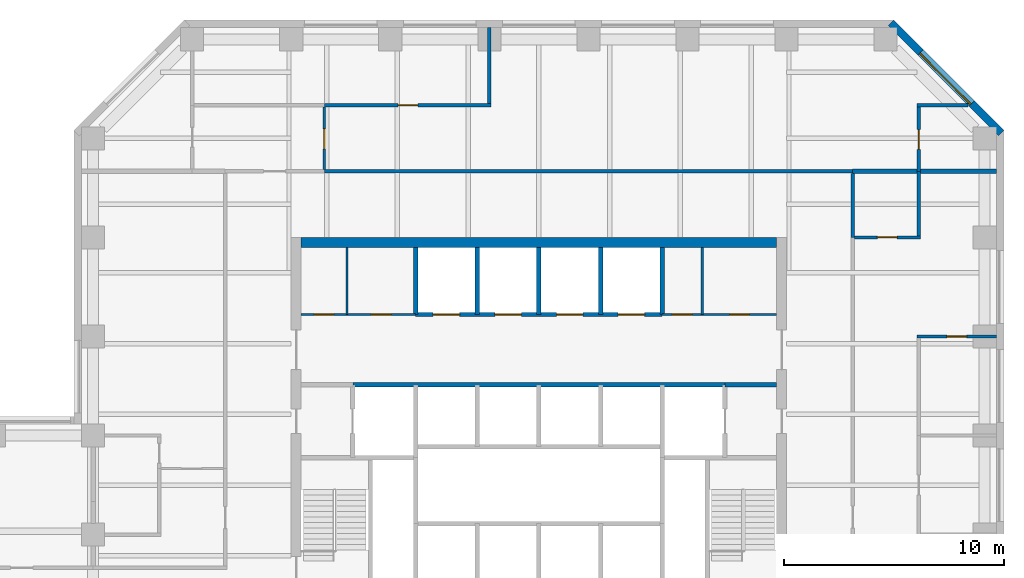
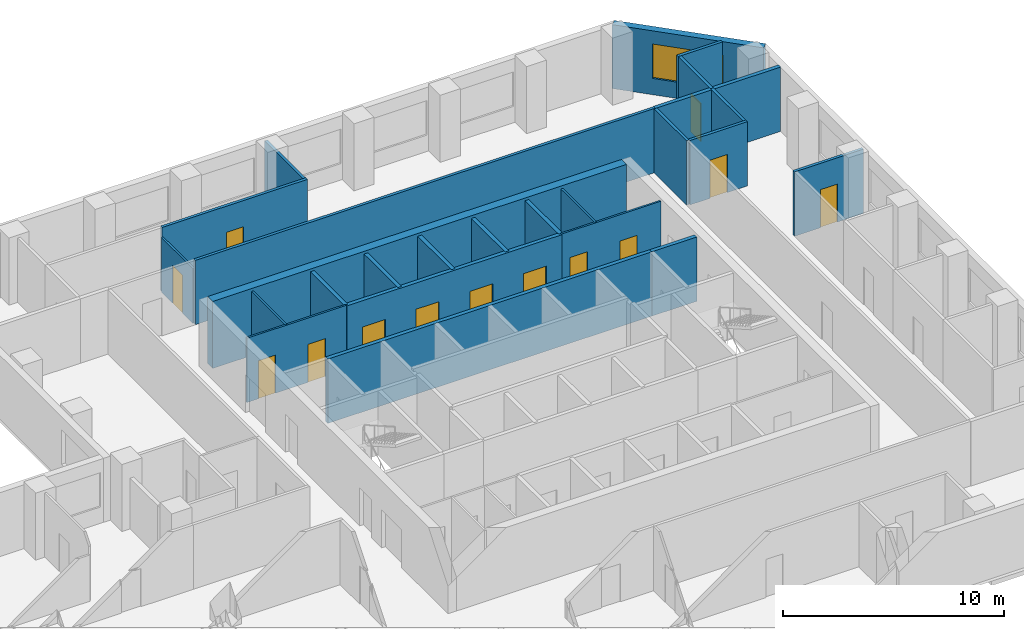
# One storey, part 8 of 11: 26 walls, 13 doors, 1 window, 14 openings.
"""IFC4 building model written with IfcOpenShell, lengths in metres."""

from ifc_helpers import new_model, si_unit, direction, frame, frame_2d, origin, place, context, subcontext, project, spatial, rectangle, extrude, material, layer, layer_set, constituent, constituent_set, type_object, element, fill, save


model = new_model("IFC4")

# Units and contexts
model_context = context("Model", 3, precision=1e-05, world=origin(), true_north=direction((0.0, 1.0)))
body_context = subcontext(model_context, "Body", "Model", "MODEL_VIEW")
ifc_project = project(units=[si_unit("LENGTHUNIT", "METRE"), si_unit("AREAUNIT", "SQUARE_METRE"), si_unit("VOLUMEUNIT", "CUBIC_METRE"), si_unit("PLANEANGLEUNIT", "RADIAN"), si_unit("MASSUNIT", "GRAM", prefix="KILO")], contexts=[model_context])

# Site, building, storey
site_placement = place(None, origin())
site = spatial("IfcSite", under=ifc_project, at=site_placement, CompositionType="ELEMENT")
building_placement = place(site_placement, origin())
building = spatial("IfcBuilding", under=site, at=building_placement, Name="Quoin Convention Tower", CompositionType="ELEMENT")
storey_placement = place(building_placement, frame((0.0, 0.0, 104.800048828125)))
storey = spatial("IfcBuildingStorey", under=building, at=storey_placement, Name="L27", CompositionType="ELEMENT", Elevation=104.800048828125)

# Wall, opening, door
ifc_material_1 = material(Name="Plasterboard")
ifc_layer_1 = layer(ifc_material_1, 0.012451171875, Name="Finish")
ifc_material_2 = material(Name="Steel stud framing", Category="steel")
ifc_layer_2 = layer(ifc_material_2, 0.125, Name="Structure")
ifc_layer_3 = layer(ifc_material_1, 0.012451171875, Name="Finish")
ifc_layer_set_1 = layer_set([ifc_layer_1, ifc_layer_2, ifc_layer_3], Name="Steel stud framing")
wall_type_1 = type_object("IfcWallType", Name="Acoustic partition 150", PredefinedType="PARTITIONING", material=ifc_layer_set_1)
wall_1_placement = place(storey_placement, frame((73.425048828125, 67.5, 0.0), z_axis=(0.0, 0.0, 1.0), x_axis=(1.0, 0.0, 0.0)))
wall_1 = element("IfcWall", 1, at=wall_1_placement, inside=storey, type_object=wall_type_1, Name="pw-L27-039", PredefinedType="PARTITIONING", context=body_context, shape_type="SweptSolid", body=[
    extrude(rectangle(XDim=3.599853515625, YDim=0.14990234375, at=frame_2d((1.7998046875, 0.0))), origin(), (0.0, 0.0, 1.0), 3.550048828125),
])
opening_1_placement = place(wall_1_placement, frame((1.35009765625, 0.0, 0.0)))
opening_1 = element("IfcOpeningElement", 2, at=opening_1_placement, cuts=wall_1, Name="Opening DOL4-13", PredefinedType="OPENING", context=body_context, shape_type="SweptSolid", body=[
    extrude(rectangle(XDim=0.89990234375, YDim=2.10009765625, at=frame_2d((0.449951171875, 1.050048828125))), frame((0.0, 0.0849609375, 0.0), z_axis=(0.0, -1.0, 0.0), x_axis=(1.0, 0.0, 0.0)), (0.0, 0.0, 1.0), 0.169921875),
])
ifc_material_3 = material(Name="Steel door leaf", Category="steel")
door_type_1 = type_object("IfcDoorType", Name="Office door 900 x 2100", OperationType="SINGLE_SWING_RIGHT", PredefinedType="DOOR", material=ifc_material_3)
door_1_placement = place(opening_1_placement, origin())
door_1 = element("IfcDoor", 3, at=door_1_placement, inside=storey, type_object=door_type_1, Name="dr-L27-28", OperationType="SINGLE_SWING_RIGHT", OverallHeight=2.10009765625, OverallWidth=0.89990234375, PredefinedType="DOOR", context=body_context, shape_type="SweptSolid", body=[
    extrude(rectangle(XDim=0.89990234375, YDim=2.10009765625, at=frame_2d((0.449951171875, 1.050048828125))), frame((0.0, 0.02490234375, 0.0), z_axis=(0.0, -1.0, 0.0), x_axis=(1.0, 0.0, 0.0)), (0.0, 0.0, 1.0), 0.050048828125),
])
fill(opening_1, door_1)

wall_2_placement = place(storey_placement, frame((46.5, 78.0, 0.0), z_axis=(0.0, 0.0, 1.0), x_axis=(1.0, 0.0, 0.0)))
wall_2 = element("IfcWall", 4, at=wall_2_placement, inside=storey, type_object=wall_type_1, Name="pw-L27-048", PredefinedType="PARTITIONING", context=body_context, shape_type="SweptSolid", body=[
    extrude(rectangle(XDim=7.574951171875, YDim=0.14990234375, at=frame_2d((3.78759765625, 0.0))), origin(), (0.0, 0.0, 1.0), 3.550048828125),
])
opening_2_placement = place(wall_2_placement, frame((3.35009765625, 0.0, 0.0)))
opening_2 = element("IfcOpeningElement", 5, at=opening_2_placement, cuts=wall_2, Name="Opening DOL4-16", PredefinedType="OPENING", context=body_context, shape_type="SweptSolid", body=[
    extrude(rectangle(XDim=0.89990234375, YDim=2.10009765625, at=frame_2d((0.449951171875, 1.050048828125))), frame((0.0, 0.0849609375, 0.0), z_axis=(0.0, -1.0, 0.0), x_axis=(1.0, 0.0, 0.0)), (0.0, 0.0, 1.0), 0.169921875),
])
door_2_placement = place(opening_2_placement, frame((0.89990234375, 0.0, 0.0), z_axis=(0.0, 0.0, 1.0), x_axis=(-1.0, 0.0, 0.0)))
door_2 = element("IfcDoor", 6, at=door_2_placement, inside=storey, type_object=door_type_1, Name="dr-L27-33", OperationType="SINGLE_SWING_LEFT", OverallHeight=2.10009765625, OverallWidth=0.89990234375, PredefinedType="DOOR", context=body_context, shape_type="SweptSolid", body=[
    extrude(rectangle(XDim=0.89990234375, YDim=2.10009765625, at=frame_2d((0.449951171875, 1.050048828125))), frame((0.0, 0.02490234375, 0.0), z_axis=(0.0, -1.0, 0.0), x_axis=(1.0, 0.0, 0.0)), (0.0, 0.0, 1.0), 0.050048828125),
])
fill(opening_2, door_2)

# Wall
wall_3_placement = place(storey_placement, frame((54.0, 78.074951171875, 0.0), z_axis=(0.0, 0.0, 1.0), x_axis=(0.0, 1.0, 0.0)))
element("IfcWall", 7, at=wall_3_placement, inside=storey, type_object=wall_type_1, Name="pw-L27-093", PredefinedType="PARTITIONING", context=body_context, shape_type="SweptSolid", body=[
    extrude(rectangle(XDim=3.449951171875, YDim=0.14990234375, at=frame_2d((1.72509765625, 0.0))), origin(), (0.0, 0.0, 1.0), 3.550048828125),
])

# Wall, opening, window
ifc_material_4 = material(Name="Brick masonry", Category="masonry")
ifc_layer_4 = layer(ifc_material_4, 0.35009765625)
ifc_layer_set_2 = layer_set([ifc_layer_4], Name="Brick masonry")
wall_type_2 = type_object("IfcWallType", Name="Brick facade wall", PredefinedType="STANDARD", material=ifc_layer_set_2)
wall_4_placement = place(storey_placement, frame((77.251220703125, 76.73876953125, 0.0), z_axis=(0.0, 0.0, 1.0), x_axis=(-0.707106781187, 0.707106781187, 0.0)))
wall_4 = element("IfcWall", 8, at=wall_4_placement, inside=storey, type_object=wall_type_2, Name="fw-L27-76500_76500", PredefinedType="STANDARD", context=body_context, shape_type="SweptSolid", body=[
    extrude(rectangle(XDim=7.088623046875, YDim=0.35009765625, at=frame_2d((3.54443359375, 0.0))), origin(), (0.0, 0.0, 1.0), 3.52490234375),
])
opening_3_placement = place(wall_4_placement, frame((1.894287109375, 0.0, 0.89990234375)))
opening_3 = element("IfcOpeningElement", 9, at=opening_3_placement, cuts=wall_4, Name="Opening W-02", PredefinedType="OPENING", context=body_context, shape_type="SweptSolid", body=[
    extrude(rectangle(XDim=3.300048828125, YDim=1.89990234375, at=frame_2d((1.64990234375, 0.949951171875))), frame((0.0, 0.18505859375, 0.0), z_axis=(0.0, -1.0, 0.0), x_axis=(1.0, 0.0, 0.0)), (0.0, 0.0, 1.0), 0.3701171875),
])
ifc_material_5 = material(Name="Aluminium", Category="aluminium")
ifc_constituent_1 = constituent(ifc_material_5, Name="Frame")
ifc_material_6 = material(Name="Insulated glass", Category="glass")
ifc_constituent_2 = constituent(ifc_material_6, Name="Glazing")
ifc_constituent_set = constituent_set(constituents=[ifc_constituent_1, ifc_constituent_2], Name="Aluminium")
window_type = type_object("IfcWindowType", Name="Office window", PartitioningType="DOUBLE_PANEL_VERTICAL", PredefinedType="WINDOW", material=ifc_constituent_set)
window_placement = place(opening_3_placement, origin())
window = element("IfcWindow", 10, at=window_placement, inside=storey, type_object=window_type, Name="win-L27-74745_79245", OverallHeight=1.89990234375, OverallWidth=3.300048828125, PartitioningType="SINGLE_PANEL", PredefinedType="WINDOW", context=body_context, shape_type="SweptSolid", body=[
    extrude(rectangle(XDim=3.300048828125, YDim=1.89990234375, at=frame_2d((1.64990234375, 0.949951171875))), frame((0.0, 0.0849609375, 0.0), z_axis=(0.0, -1.0, 0.0), x_axis=(1.0, 0.0, 0.0)), (0.0, 0.0, 1.0), 0.06005859375),
])
fill(opening_3, window)

# Wall, openings, doors
ifc_layer_5 = layer(ifc_material_1, 0.012451171875, Name="Finish")
ifc_layer_6 = layer(ifc_material_2, 0.074951171875, Name="Structure")
ifc_layer_7 = layer(ifc_material_1, 0.012451171875, Name="Finish")
ifc_layer_set_3 = layer_set([ifc_layer_5, ifc_layer_6, ifc_layer_7], Name="Steel stud framing")
wall_type_3 = type_object("IfcWallType", Name="Core partition wall", PredefinedType="PARTITIONING", material=ifc_layer_set_3)
wall_5_placement = place(storey_placement, frame((45.449951171875, 68.5, 0.0), z_axis=(0.0, 0.0, 1.0), x_axis=(1.0, 0.0, 0.0)))
wall_5 = element("IfcWall", 11, at=wall_5_placement, inside=storey, type_object=wall_type_3, Name="cr-C1-L27-h19000_450", PredefinedType="PARTITIONING", context=body_context, shape_type="SweptSolid", body=[
    extrude(rectangle(XDim=5.199951171875, YDim=0.10009765625, at=frame_2d((2.60009765625, 0.0))), origin(), (0.0, 0.0, 1.0), 3.550048828125),
])
opening_4_placement = place(wall_5_placement, frame((0.590087890625, 0.0, 0.0)))
opening_4 = element("IfcOpeningElement", 12, at=opening_4_placement, cuts=wall_5, Name="Opening DCV3-15", PredefinedType="OPENING", context=body_context, shape_type="SweptSolid", body=[
    extrude(rectangle(XDim=0.89990234375, YDim=2.10009765625, at=frame_2d((0.449951171875, 1.050048828125))), frame((0.0, 0.06005859375, 0.0), z_axis=(0.0, -1.0, 0.0), x_axis=(1.0, 0.0, 0.0)), (0.0, 0.0, 1.0), 0.1201171875),
])
opening_5_placement = place(wall_5_placement, frame((3.18994140625, 0.0, 0.0)))
opening_5 = element("IfcOpeningElement", 13, at=opening_5_placement, cuts=wall_5, Name="Opening DCV3-16", PredefinedType="OPENING", context=body_context, shape_type="SweptSolid", body=[
    extrude(rectangle(XDim=0.89990234375, YDim=2.10009765625, at=frame_2d((0.449951171875, 1.050048828125))), frame((0.0, 0.06005859375, 0.0), z_axis=(0.0, -1.0, 0.0), x_axis=(1.0, 0.0, 0.0)), (0.0, 0.0, 1.0), 0.1201171875),
])
door_type_2 = type_object("IfcDoorType", Name="Core room door 900 x 2100", OperationType="SINGLE_SWING_LEFT", PredefinedType="DOOR", material=ifc_material_3)
door_3_placement = place(opening_4_placement, origin())
door_3 = element("IfcDoor", 14, at=door_3_placement, inside=storey, type_object=door_type_2, Name="cd-C1-L27-CNW0-lobB-CD2709", OperationType="SINGLE_SWING_RIGHT", OverallHeight=2.10009765625, OverallWidth=0.89990234375, PredefinedType="DOOR", context=body_context, shape_type="SweptSolid", body=[
    extrude(rectangle(XDim=0.89990234375, YDim=2.10009765625, at=frame_2d((0.449951171875, 1.050048828125))), frame((0.0, 0.02490234375, 0.0), z_axis=(0.0, -1.0, 0.0), x_axis=(1.0, 0.0, 0.0)), (0.0, 0.0, 1.0), 0.050048828125),
])
fill(opening_4, door_3)
door_4_placement = place(opening_5_placement, origin())
door_4 = element("IfcDoor", 15, at=door_4_placement, inside=storey, type_object=door_type_2, Name="cd-C1-L27-CNW1-lobB-CD2710", OperationType="SINGLE_SWING_RIGHT", OverallHeight=2.10009765625, OverallWidth=0.89990234375, PredefinedType="DOOR", context=body_context, shape_type="SweptSolid", body=[
    extrude(rectangle(XDim=0.89990234375, YDim=2.10009765625, at=frame_2d((0.449951171875, 1.050048828125))), frame((0.0, 0.02490234375, 0.0), z_axis=(0.0, -1.0, 0.0), x_axis=(1.0, 0.0, 0.0)), (0.0, 0.0, 1.0), 0.050048828125),
])
fill(opening_5, door_4)

wall_6_placement = place(storey_placement, frame((61.85009765625, 68.5, 0.0), z_axis=(0.0, 0.0, 1.0), x_axis=(1.0, 0.0, 0.0)))
wall_6 = element("IfcWall", 16, at=wall_6_placement, inside=storey, type_object=wall_type_3, Name="cr-C1-L27-h19000_16850", PredefinedType="PARTITIONING", context=body_context, shape_type="SweptSolid", body=[
    extrude(rectangle(XDim=5.199951171875, YDim=0.10009765625, at=frame_2d((2.60009765625, 0.0))), origin(), (0.0, 0.0, 1.0), 3.550048828125),
])
opening_6_placement = place(wall_6_placement, frame((3.06005859375, 0.0, 0.0)))
opening_6 = element("IfcOpeningElement", 17, at=opening_6_placement, cuts=wall_6, Name="Opening DCV3-04", PredefinedType="OPENING", context=body_context, shape_type="SweptSolid", body=[
    extrude(rectangle(XDim=0.89990234375, YDim=2.10009765625, at=frame_2d((0.449951171875, 1.050048828125))), frame((0.0, 0.06005859375, 0.0), z_axis=(0.0, -1.0, 0.0), x_axis=(1.0, 0.0, 0.0)), (0.0, 0.0, 1.0), 0.1201171875),
])
opening_7_placement = place(wall_6_placement, frame((0.4599609375, 0.0, 0.0)))
opening_7 = element("IfcOpeningElement", 18, at=opening_7_placement, cuts=wall_6, Name="Opening DCV3-02", PredefinedType="OPENING", context=body_context, shape_type="SweptSolid", body=[
    extrude(rectangle(XDim=0.89990234375, YDim=2.10009765625, at=frame_2d((0.449951171875, 1.050048828125))), frame((0.0, 0.06005859375, 0.0), z_axis=(0.0, -1.0, 0.0), x_axis=(1.0, 0.0, 0.0)), (0.0, 0.0, 1.0), 0.1201171875),
])
door_5_placement = place(opening_6_placement, origin())
door_5 = element("IfcDoor", 19, at=door_5_placement, inside=storey, type_object=door_type_2, Name="cd-C1-L27-CNE0-lobB-CD2707", OperationType="SINGLE_SWING_RIGHT", OverallHeight=2.10009765625, OverallWidth=0.89990234375, PredefinedType="DOOR", context=body_context, shape_type="SweptSolid", body=[
    extrude(rectangle(XDim=0.89990234375, YDim=2.10009765625, at=frame_2d((0.449951171875, 1.050048828125))), frame((0.0, 0.02490234375, 0.0), z_axis=(0.0, -1.0, 0.0), x_axis=(1.0, 0.0, 0.0)), (0.0, 0.0, 1.0), 0.050048828125),
])
fill(opening_6, door_5)
door_6_placement = place(opening_7_placement, origin())
door_6 = element("IfcDoor", 20, at=door_6_placement, inside=storey, type_object=door_type_2, Name="cd-C1-L27-CNE1-lobB-CD2708", OperationType="SINGLE_SWING_LEFT", OverallHeight=2.10009765625, OverallWidth=0.89990234375, PredefinedType="DOOR", context=body_context, shape_type="SweptSolid", body=[
    extrude(rectangle(XDim=0.89990234375, YDim=2.10009765625, at=frame_2d((0.449951171875, 1.050048828125))), frame((0.0, 0.02490234375, 0.0), z_axis=(0.0, -1.0, 0.0), x_axis=(1.0, 0.0, 0.0)), (0.0, 0.0, 1.0), 0.050048828125),
])
fill(opening_7, door_6)

# Walls
for number, where, z_axis, x_axis, name in (
    (21, (47.530029296875, 68.5, 0.0), (0.0, 0.0, 1.0), (0.0, 1.0, 0.0), "cr-C1-L27-v2530_19000"),
    (22, (63.669921875, 68.5, 0.0), (0.0, 0.0, 1.0), (0.0, 1.0, 0.0), "cr-C1-L27-v18670_19000"),
):
    element("IfcWall", number, at=place(storey_placement, frame(where, z_axis=z_axis, x_axis=x_axis)), inside=storey, type_object=wall_type_3, Name=name, PredefinedType="PARTITIONING", context=body_context, shape_type="SweptSolid", body=[
        extrude(rectangle(XDim=3.050048828125, YDim=0.10009765625, at=frame_2d((1.52490234375, 0.0))), origin(), (0.0, 0.0, 1.0), 3.550048828125),
    ])
ifc_material_7 = material(Name="Concrete C50", Category="concrete")
ifc_layer_8 = layer(ifc_material_7, 0.199951171875)
ifc_layer_set_4 = layer_set([ifc_layer_8], Name="Concrete C50")
wall_type_4 = type_object("IfcWallType", Name="Core shaft wall", PredefinedType="SOLIDWALL", material=ifc_layer_set_4)
wall_7_placement = place(storey_placement, frame((64.699951171875, 65.300048828125, 0.0), z_axis=(0.0, 0.0, 1.0), x_axis=(1.0, 0.0, 0.0)))
element("IfcWall", 23, at=wall_7_placement, inside=storey, type_object=wall_type_4, Name="cr-C1-L27-h15800_19700", PredefinedType="SOLIDWALL", context=body_context, shape_type="SweptSolid", body=[
    extrude(rectangle(XDim=2.35009765625, YDim=0.199951171875, at=frame_2d((1.175048828125, 0.0))), origin(), (0.0, 0.0, 1.0), 3.550048828125),
])
wall_8_placement = place(storey_placement, frame((47.800048828125, 65.300048828125, 0.0), z_axis=(0.0, 0.0, 1.0), x_axis=(1.0, 0.0, 0.0)))
element("IfcWall", 24, at=wall_8_placement, inside=storey, type_object=wall_type_4, Name="cr-C1-L27-h15800_2800", PredefinedType="SOLIDWALL", context=body_context, shape_type="SweptSolid", body=[
    extrude(rectangle(XDim=16.89990234375, YDim=0.199951171875, at=frame_2d((8.449951171875, 0.0))), origin(), (0.0, 0.0, 1.0), 3.550048828125),
])

# Wall, openings, doors
wall_9_placement = place(storey_placement, frame((50.64990234375, 68.5, 0.0), z_axis=(0.0, 0.0, 1.0), x_axis=(1.0, 0.0, 0.0)))
wall_9 = element("IfcWall", 25, at=wall_9_placement, inside=storey, type_object=wall_type_4, Name="cr-C1-L27-h19000_5650", PredefinedType="SOLIDWALL", context=body_context, shape_type="SweptSolid", body=[
    extrude(rectangle(XDim=11.2001953125, YDim=0.199951171875, at=frame_2d((5.60009765625, 0.0))), origin(), (0.0, 0.0, 1.0), 3.550048828125),
])
opening_8_placement = place(wall_9_placement, frame((0.800048828125, 0.0, 0.0)))
opening_8 = element("IfcOpeningElement", 26, at=opening_8_placement, cuts=wall_9, Name="Opening LDL5", PredefinedType="OPENING", context=body_context, shape_type="SweptSolid", body=[
    extrude(rectangle(XDim=1.199951171875, YDim=2.10009765625, at=frame_2d((0.60009765625, 1.050048828125))), frame((0.0, 0.10986328125, 0.0), z_axis=(0.0, -1.0, 0.0), x_axis=(1.0, 0.0, 0.0)), (0.0, 0.0, 1.0), 0.219970703125),
])
opening_9_placement = place(wall_9_placement, frame((3.60009765625, 0.0, 0.0)))
opening_9 = element("IfcOpeningElement", 27, at=opening_9_placement, cuts=wall_9, Name="Opening LDL6", PredefinedType="OPENING", context=body_context, shape_type="SweptSolid", body=[
    extrude(rectangle(XDim=1.199951171875, YDim=2.10009765625, at=frame_2d((0.60009765625, 1.050048828125))), frame((0.0, 0.10986328125, 0.0), z_axis=(0.0, -1.0, 0.0), x_axis=(1.0, 0.0, 0.0)), (0.0, 0.0, 1.0), 0.219970703125),
])
opening_10_placement = place(wall_9_placement, frame((6.39990234375, 0.0, 0.0)))
opening_10 = element("IfcOpeningElement", 28, at=opening_10_placement, cuts=wall_9, Name="Opening LDL7", PredefinedType="OPENING", context=body_context, shape_type="SweptSolid", body=[
    extrude(rectangle(XDim=1.199951171875, YDim=2.10009765625, at=frame_2d((0.60009765625, 1.050048828125))), frame((0.0, 0.10986328125, 0.0), z_axis=(0.0, -1.0, 0.0), x_axis=(1.0, 0.0, 0.0)), (0.0, 0.0, 1.0), 0.219970703125),
])
opening_11_placement = place(wall_9_placement, frame((9.199951171875, 0.0, 0.0)))
opening_11 = element("IfcOpeningElement", 29, at=opening_11_placement, cuts=wall_9, Name="Opening LDL8", PredefinedType="OPENING", context=body_context, shape_type="SweptSolid", body=[
    extrude(rectangle(XDim=1.199951171875, YDim=2.10009765625, at=frame_2d((0.60009765625, 1.050048828125))), frame((0.0, 0.10986328125, 0.0), z_axis=(0.0, -1.0, 0.0), x_axis=(1.0, 0.0, 0.0)), (0.0, 0.0, 1.0), 0.219970703125),
])
door_type_3 = type_object("IfcDoorType", Name="Lift landing door 1200 x 2100", OperationType="DOUBLE_DOOR_SLIDING", PredefinedType="DOOR", material=ifc_material_3)
door_7_placement = place(opening_8_placement, origin())
door_7 = element("IfcDoor", 30, at=door_7_placement, inside=storey, type_object=door_type_3, Name="cd-C1-L27-R40-lobB-LDL5", OperationType="DOUBLE_DOOR_SLIDING", OverallHeight=2.10009765625, OverallWidth=1.199951171875, PredefinedType="DOOR", context=body_context, shape_type="SweptSolid", body=[
    extrude(rectangle(XDim=1.199951171875, YDim=2.10009765625, at=frame_2d((0.60009765625, 1.050048828125))), frame((0.0, 0.02490234375, 0.0), z_axis=(0.0, -1.0, 0.0), x_axis=(1.0, 0.0, 0.0)), (0.0, 0.0, 1.0), 0.050048828125),
])
fill(opening_8, door_7)
door_8_placement = place(opening_9_placement, origin())
door_8 = element("IfcDoor", 31, at=door_8_placement, inside=storey, type_object=door_type_3, Name="cd-C1-L27-R41-lobB-LDL6", OperationType="DOUBLE_DOOR_SLIDING", OverallHeight=2.10009765625, OverallWidth=1.199951171875, PredefinedType="DOOR", context=body_context, shape_type="SweptSolid", body=[
    extrude(rectangle(XDim=1.199951171875, YDim=2.10009765625, at=frame_2d((0.60009765625, 1.050048828125))), frame((0.0, 0.02490234375, 0.0), z_axis=(0.0, -1.0, 0.0), x_axis=(1.0, 0.0, 0.0)), (0.0, 0.0, 1.0), 0.050048828125),
])
fill(opening_9, door_8)
door_9_placement = place(opening_10_placement, origin())
door_9 = element("IfcDoor", 32, at=door_9_placement, inside=storey, type_object=door_type_3, Name="cd-C1-L27-R42-lobB-LDL7", OperationType="DOUBLE_DOOR_SLIDING", OverallHeight=2.10009765625, OverallWidth=1.199951171875, PredefinedType="DOOR", context=body_context, shape_type="SweptSolid", body=[
    extrude(rectangle(XDim=1.199951171875, YDim=2.10009765625, at=frame_2d((0.60009765625, 1.050048828125))), frame((0.0, 0.02490234375, 0.0), z_axis=(0.0, -1.0, 0.0), x_axis=(1.0, 0.0, 0.0)), (0.0, 0.0, 1.0), 0.050048828125),
])
fill(opening_10, door_9)
door_10_placement = place(opening_11_placement, origin())
door_10 = element("IfcDoor", 33, at=door_10_placement, inside=storey, type_object=door_type_3, Name="cd-C1-L27-R43-lobB-LDL8", OperationType="DOUBLE_DOOR_SLIDING", OverallHeight=2.10009765625, OverallWidth=1.199951171875, PredefinedType="DOOR", context=body_context, shape_type="SweptSolid", body=[
    extrude(rectangle(XDim=1.199951171875, YDim=2.10009765625, at=frame_2d((0.60009765625, 1.050048828125))), frame((0.0, 0.02490234375, 0.0), z_axis=(0.0, -1.0, 0.0), x_axis=(1.0, 0.0, 0.0)), (0.0, 0.0, 1.0), 0.050048828125),
])
fill(opening_11, door_10)

# Walls
for number, where, z_axis, x_axis, name in (
    (34, (50.64990234375, 68.5, 0.0), (0.0, 0.0, 1.0), (0.0, 1.0, 0.0), "cr-C1-L27-v5650_19000"),
    (35, (53.449951171875, 68.5, 0.0), (0.0, 0.0, 1.0), (0.0, 1.0, 0.0), "cr-C1-L27-v8450_19000"),
    (36, (56.25, 68.5, 0.0), (0.0, 0.0, 1.0), (0.0, 1.0, 0.0), "cr-C1-L27-v11250_19000"),
    (37, (59.050048828125, 68.5, 0.0), (0.0, 0.0, 1.0), (0.0, 1.0, 0.0), "cr-C1-L27-v14050_19000"),
    (38, (61.85009765625, 68.5, 0.0), (0.0, 0.0, 1.0), (0.0, 1.0, 0.0), "cr-C1-L27-v16850_19000"),
):
    element("IfcWall", number, at=place(storey_placement, frame(where, z_axis=z_axis, x_axis=x_axis)), inside=storey, type_object=wall_type_4, Name=name, PredefinedType="SOLIDWALL", context=body_context, shape_type="SweptSolid", body=[
        extrude(rectangle(XDim=3.050048828125, YDim=0.199951171875, at=frame_2d((1.52490234375, 0.0))), origin(), (0.0, 0.0, 1.0), 3.550048828125),
    ])
ifc_layer_9 = layer(ifc_material_1, 0.012451171875, Name="Finish")
ifc_layer_10 = layer(ifc_material_2, 0.125, Name="Structure")
ifc_layer_11 = layer(ifc_material_1, 0.012451171875, Name="Finish")
ifc_layer_set_5 = layer_set([ifc_layer_9, ifc_layer_10, ifc_layer_11], Name="Steel stud framing")
wall_type_5 = type_object("IfcWallType", Name="Corridor wall 150", PredefinedType="PARTITIONING", material=ifc_layer_set_5)
wall_10_placement = place(storey_placement, frame((46.5, 75.0, 0.0), z_axis=(0.0, 0.0, 1.0), x_axis=(1.0, 0.0, 0.0)))
element("IfcWall", 39, at=wall_10_placement, inside=storey, type_object=wall_type_5, Name="pw-L27-044", PredefinedType="PARTITIONING", context=body_context, shape_type="SweptSolid", body=[
    extrude(rectangle(XDim=24.0, YDim=0.14990234375, at=frame_2d((12.0, 0.0))), origin(), (0.0, 0.0, 1.0), 3.550048828125),
])
wall_11_placement = place(storey_placement, frame((70.5, 72.0, 0.0), z_axis=(0.0, 0.0, 1.0), x_axis=(0.0, 1.0, 0.0)))
element("IfcWall", 40, at=wall_11_placement, inside=storey, type_object=wall_type_5, Name="pw-L27-087", PredefinedType="PARTITIONING", context=body_context, shape_type="SweptSolid", body=[
    extrude(rectangle(XDim=2.89990234375, YDim=0.14990234375, at=frame_2d((1.449951171875, 0.0))), origin(), (0.0, 0.0, 1.0), 3.550048828125),
])
ifc_material_8 = material(Name="Concrete C65", Category="concrete")
ifc_layer_12 = layer(ifc_material_8, 0.449951171875)
ifc_layer_set_6 = layer_set([ifc_layer_12], Name="Concrete C65")
wall_type_6 = type_object("IfcWallType", Name="RC CORE WALL 450 C65", PredefinedType="SHEAR", material=ifc_layer_set_6)
wall_12_placement = place(storey_placement, frame((45.449951171875, 71.77490234375, 0.0), z_axis=(0.0, 0.0, 1.0), x_axis=(1.0, 0.0, 0.0)))
element("IfcWall", 41, at=wall_12_placement, inside=storey, type_object=wall_type_6, Name="cwl-C1-L27-N", PredefinedType="SHEAR", context=body_context, shape_type="SweptSolid", body=[
    extrude(rectangle(XDim=21.60009765625, YDim=0.449951171875, at=frame_2d((10.800048828125, 0.0))), origin(), (0.0, 0.0, 1.0), 3.699951171875),
])

# Wall, opening, door
ifc_layer_13 = layer(ifc_material_1, 0.012451171875, Name="Finish")
ifc_layer_14 = layer(ifc_material_2, 0.074951171875, Name="Structure")
ifc_layer_15 = layer(ifc_material_1, 0.012451171875, Name="Finish")
ifc_layer_set_7 = layer_set([ifc_layer_13, ifc_layer_14, ifc_layer_15], Name="Steel stud framing")
wall_type_7 = type_object("IfcWallType", Name="Stud partition 100 under beam 528", PredefinedType="PARTITIONING", material=ifc_layer_set_7)
wall_13_placement = place(storey_placement, frame((46.5, 75.074951171875, 0.0), z_axis=(0.0, 0.0, 1.0), x_axis=(0.0, 1.0, 0.0)))
wall_13 = element("IfcWall", 42, at=wall_13_placement, inside=storey, type_object=wall_type_7, Name="pw-L27-090", PredefinedType="PARTITIONING", context=body_context, shape_type="SweptSolid", body=[
    extrude(rectangle(XDim=2.85009765625, YDim=0.10009765625, at=frame_2d((1.425048828125, 0.0))), origin(), (0.0, 0.0, 1.0), 3.02197265625),
])
opening_12_placement = place(wall_13_placement, frame((0.949951171875, 0.0, 0.0)))
opening_12 = element("IfcOpeningElement", 43, at=opening_12_placement, cuts=wall_13, Name="Opening DOL4-29", PredefinedType="OPENING", context=body_context, shape_type="SweptSolid", body=[
    extrude(rectangle(XDim=0.89990234375, YDim=2.10009765625, at=frame_2d((0.449951171875, 1.050048828125))), frame((0.0, 0.06005859375, 0.0), z_axis=(0.0, -1.0, 0.0), x_axis=(1.0, 0.0, 0.0)), (0.0, 0.0, 1.0), 0.1201171875),
])
door_11_placement = place(opening_12_placement, frame((0.89990234375, 0.0, 0.0), z_axis=(0.0, 0.0, 1.0), x_axis=(-1.0, 0.0, 0.0)))
door_11 = element("IfcDoor", 44, at=door_11_placement, inside=storey, type_object=door_type_1, Name="dr-L27-30", OperationType="SINGLE_SWING_LEFT", OverallHeight=2.10009765625, OverallWidth=0.89990234375, PredefinedType="DOOR", context=body_context, shape_type="SweptSolid", body=[
    extrude(rectangle(XDim=0.89990234375, YDim=2.10009765625, at=frame_2d((0.449951171875, 1.050048828125))), frame((0.0, 0.02490234375, 0.0), z_axis=(0.0, -1.0, 0.0), x_axis=(1.0, 0.0, 0.0)), (0.0, 0.0, 1.0), 0.050048828125),
])
fill(opening_12, door_11)

# Walls
ifc_layer_16 = layer(ifc_material_1, 0.012451171875, Name="Finish")
ifc_layer_17 = layer(ifc_material_2, 0.175048828125, Name="Structure")
ifc_layer_18 = layer(ifc_material_1, 0.012451171875, Name="Finish")
ifc_layer_set_8 = layer_set([ifc_layer_16, ifc_layer_17, ifc_layer_18], Name="Steel stud framing")
wall_type_8 = type_object("IfcWallType", Name="Tenancy demising wall 200", PredefinedType="PARTITIONING", material=ifc_layer_set_8)
wall_14_placement = place(storey_placement, frame((70.5, 75.0, 0.0), z_axis=(0.0, 0.0, 1.0), x_axis=(1.0, 0.0, 0.0)))
element("IfcWall", 45, at=wall_14_placement, inside=storey, type_object=wall_type_8, Name="pw-L27-045", PredefinedType="PARTITIONING", context=body_context, shape_type="SweptSolid", body=[
    extrude(rectangle(XDim=2.925048828125, YDim=0.199951171875, at=frame_2d((1.46240234375, 0.0))), origin(), (0.0, 0.0, 1.0), 3.550048828125),
])
wall_15_placement = place(storey_placement, frame((73.574951171875, 75.0, 0.0), z_axis=(0.0, 0.0, 1.0), x_axis=(1.0, 0.0, 0.0)))
element("IfcWall", 46, at=wall_15_placement, inside=storey, type_object=wall_type_8, Name="pw-L27-046", PredefinedType="PARTITIONING", context=body_context, shape_type="SweptSolid", body=[
    extrude(rectangle(XDim=3.449951171875, YDim=0.199951171875, at=frame_2d((1.72509765625, 0.0))), origin(), (0.0, 0.0, 1.0), 3.550048828125),
])

# Wall, opening, door
ifc_layer_19 = layer(ifc_material_1, 0.012451171875, Name="Finish")
ifc_layer_20 = layer(ifc_material_2, 0.125, Name="Structure")
ifc_layer_21 = layer(ifc_material_1, 0.012451171875, Name="Finish")
ifc_layer_set_9 = layer_set([ifc_layer_19, ifc_layer_20, ifc_layer_21], Name="Steel stud framing")
wall_type_9 = type_object("IfcWallType", Name="Wet area partition 150", PredefinedType="PARTITIONING", material=ifc_layer_set_9)
wall_16_placement = place(storey_placement, frame((70.574951171875, 72.0, 0.0), z_axis=(0.0, 0.0, 1.0), x_axis=(1.0, 0.0, 0.0)))
wall_16 = element("IfcWall", 47, at=wall_16_placement, inside=storey, type_object=wall_type_9, Name="pw-L27-040", PredefinedType="PARTITIONING", context=body_context, shape_type="SweptSolid", body=[
    extrude(rectangle(XDim=3.0, YDim=0.14990234375, at=frame_2d((1.5, 0.0))), origin(), (0.0, 0.0, 1.0), 3.550048828125),
])
opening_13_placement = place(wall_16_placement, frame((1.050048828125, 0.0, 0.0)))
opening_13 = element("IfcOpeningElement", 48, at=opening_13_placement, cuts=wall_16, Name="Opening DOL4-14", PredefinedType="OPENING", context=body_context, shape_type="SweptSolid", body=[
    extrude(rectangle(XDim=0.89990234375, YDim=2.10009765625, at=frame_2d((0.449951171875, 1.050048828125))), frame((0.0, 0.0849609375, 0.0), z_axis=(0.0, -1.0, 0.0), x_axis=(1.0, 0.0, 0.0)), (0.0, 0.0, 1.0), 0.169921875),
])
door_12_placement = place(opening_13_placement, frame((0.89990234375, 0.0, 0.0), z_axis=(0.0, 0.0, 1.0), x_axis=(-1.0, 0.0, 0.0)))
door_12 = element("IfcDoor", 49, at=door_12_placement, inside=storey, type_object=door_type_1, Name="dr-L27-24", OperationType="SINGLE_SWING_LEFT", OverallHeight=2.10009765625, OverallWidth=0.89990234375, PredefinedType="DOOR", context=body_context, shape_type="SweptSolid", body=[
    extrude(rectangle(XDim=0.89990234375, YDim=2.10009765625, at=frame_2d((0.449951171875, 1.050048828125))), frame((0.0, 0.02490234375, 0.0), z_axis=(0.0, -1.0, 0.0), x_axis=(1.0, 0.0, 0.0)), (0.0, 0.0, 1.0), 0.050048828125),
])
fill(opening_13, door_12)

# Walls
wall_17_placement = place(storey_placement, frame((73.425048828125, 78.0, 0.0), z_axis=(0.0, 0.0, 1.0), x_axis=(1.0, 0.0, 0.0)))
element("IfcWall", 50, at=wall_17_placement, inside=storey, type_object=wall_type_9, Name="pw-L27-049", PredefinedType="PARTITIONING", context=body_context, shape_type="SweptSolid", body=[
    extrude(rectangle(XDim=2.3173828125, YDim=0.14990234375, at=frame_2d((1.15869140625, 0.0))), origin(), (0.0, 0.0, 1.0), 3.550048828125),
])
wall_18_placement = place(storey_placement, frame((73.5, 72.074951171875, 0.0), z_axis=(0.0, 0.0, 1.0), x_axis=(0.0, 1.0, 0.0)))
element("IfcWall", 51, at=wall_18_placement, inside=storey, type_object=wall_type_9, Name="pw-L27-088", PredefinedType="PARTITIONING", context=body_context, shape_type="SweptSolid", body=[
    extrude(rectangle(XDim=2.925048828125, YDim=0.14990234375, at=frame_2d((1.46240234375, 0.0))), origin(), (0.0, 0.0, 1.0), 3.550048828125),
])

# Wall, opening, door
wall_19_placement = place(storey_placement, frame((73.5, 75.0, 0.0), z_axis=(0.0, 0.0, 1.0), x_axis=(0.0, 1.0, 0.0)))
wall_19 = element("IfcWall", 52, at=wall_19_placement, inside=storey, type_object=wall_type_9, Name="pw-L27-089", PredefinedType="PARTITIONING", context=body_context, shape_type="SweptSolid", body=[
    extrude(rectangle(XDim=2.925048828125, YDim=0.14990234375, at=frame_2d((1.46240234375, 0.0))), origin(), (0.0, 0.0, 1.0), 3.550048828125),
])
opening_14_placement = place(wall_19_placement, frame((1.0, 0.0, 0.0)))
opening_14 = element("IfcOpeningElement", 53, at=opening_14_placement, cuts=wall_19, Name="Opening DOL4-28", PredefinedType="OPENING", context=body_context, shape_type="SweptSolid", body=[
    extrude(rectangle(XDim=0.89990234375, YDim=2.10009765625, at=frame_2d((0.449951171875, 1.050048828125))), frame((0.0, 0.0849609375, 0.0), z_axis=(0.0, -1.0, 0.0), x_axis=(1.0, 0.0, 0.0)), (0.0, 0.0, 1.0), 0.169921875),
])
door_13_placement = place(opening_14_placement, origin())
door_13 = element("IfcDoor", 54, at=door_13_placement, inside=storey, type_object=door_type_1, Name="dr-L27-31", OperationType="SINGLE_SWING_LEFT", OverallHeight=2.10009765625, OverallWidth=0.89990234375, PredefinedType="DOOR", context=body_context, shape_type="SweptSolid", body=[
    extrude(rectangle(XDim=0.89990234375, YDim=2.10009765625, at=frame_2d((0.449951171875, 1.050048828125))), frame((0.0, 0.02490234375, 0.0), z_axis=(0.0, -1.0, 0.0), x_axis=(1.0, 0.0, 0.0)), (0.0, 0.0, 1.0), 0.050048828125),
])
fill(opening_14, door_13)

save(model, "model.ifc")
